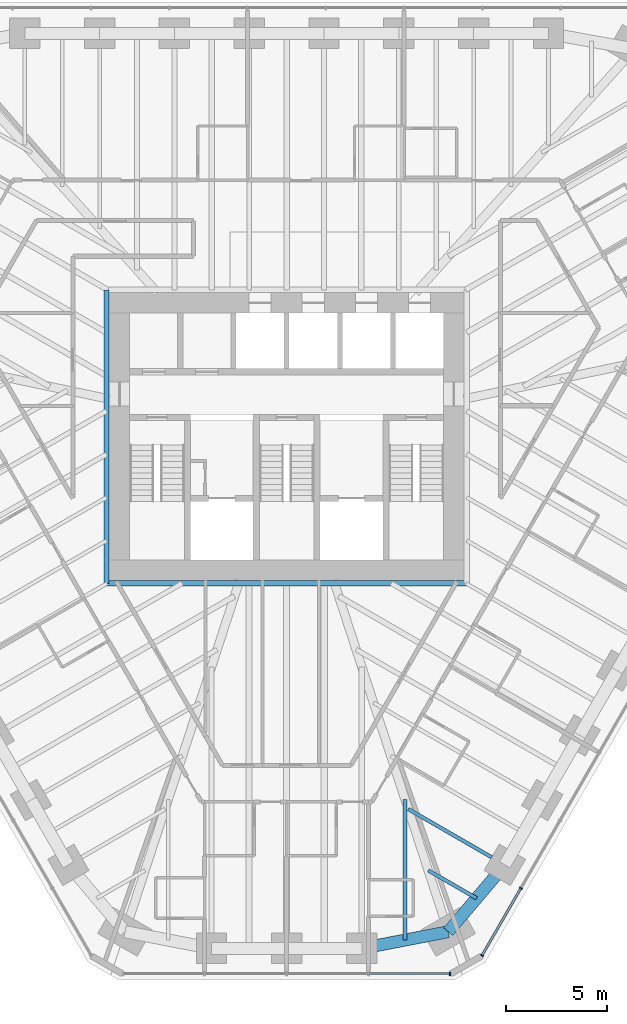
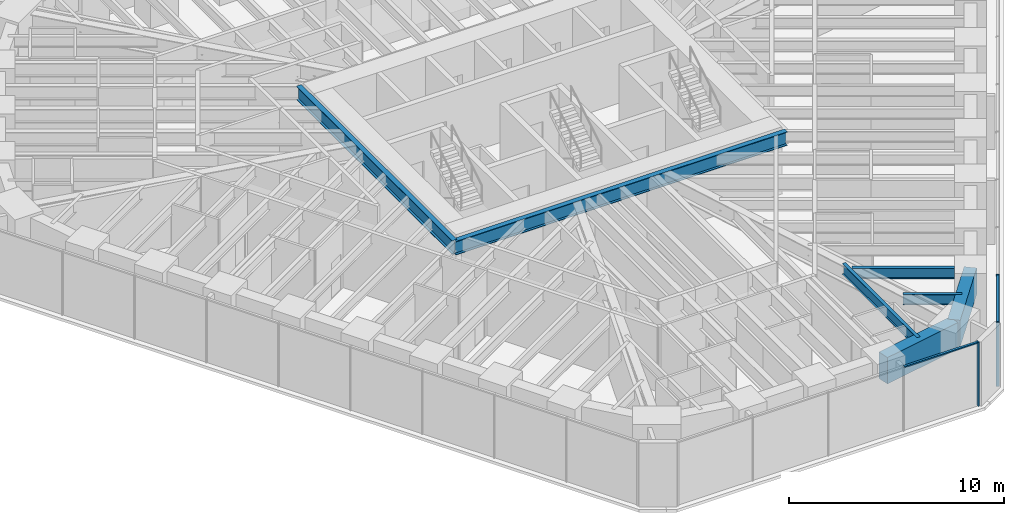
# One storey, part 4 of 17: 7 beams, 5 members, 2 elements without a shape of their own.
"""IFC4 building model written with IfcOpenShell, lengths in metres."""

from ifc_helpers import new_model, si_unit, direction, frame, origin, origin_2d, place, context, subcontext, project, spatial, rectangle, i_section, extrude, material, material_profile, profile_set, type_object, element, aggregate, save


model = new_model("IFC4")

# Units and contexts
model_context = context("Model", 3, precision=1e-05, world=origin(), true_north=direction((0.0, 1.0)))
body_context = subcontext(model_context, "Body", "Model", "MODEL_VIEW")
ifc_project = project(units=[si_unit("LENGTHUNIT", "METRE"), si_unit("AREAUNIT", "SQUARE_METRE"), si_unit("VOLUMEUNIT", "CUBIC_METRE"), si_unit("PLANEANGLEUNIT", "RADIAN"), si_unit("MASSUNIT", "GRAM", prefix="KILO")], contexts=[model_context])

# Site, building, storey
site_placement = place(None, origin())
site = spatial("IfcSite", under=ifc_project, at=site_placement, CompositionType="ELEMENT")
building_placement = place(site_placement, origin())
building = spatial("IfcBuilding", under=site, at=building_placement, Name="Sandreach Pilgrim Tower", CompositionType="ELEMENT")
storey_placement = place(building_placement, frame((0.0, 0.0, 194.60009765625)))
storey = spatial("IfcBuildingStorey", under=building, at=storey_placement, Name="L48", CompositionType="ELEMENT", Elevation=194.60009765625)

# Curtain wall, members
ifc_material_1 = material(Name="Aluminium framed curtain wall", Category="aluminium")
curtain_wall_type = type_object("IfcCurtainWallType", Name="Upper hotel tower curtain wall", PredefinedType="NOTDEFINED", material=ifc_material_1)
curtain_wall_1_placement = place(storey_placement, origin())
curtain_wall_1 = element("IfcCurtainWall", 1, at=curtain_wall_1_placement, inside=storey, type_object=curtain_wall_type, Name="CW-3 L48 SE", PredefinedType="NOTDEFINED")
ifc_material_2 = material(Name="Aluminium extrusion", Category="aluminium")
ifc_material_profile_1 = material_profile(ifc_material_2, rectangle(XDim=0.06494140625, YDim=0.159912109375, at=origin_2d()), Name="CW-3M 65X160")
ifc_profile_set_1 = profile_set([ifc_material_profile_1], Name="Aluminium extrusion")
member_type_1 = type_object("IfcMemberType", Name="CW-3 mullion", PredefinedType="MULLION", material=ifc_profile_set_1)
member_1_placement = place(storey_placement, frame((11.5625, -22.29345703125, 0.0), z_axis=(0.0, 0.0, 1.0), x_axis=(-0.5, -0.866025403784, 0.0)))
member_1 = element("IfcMember", 2, at=member_1_placement, type_object=member_type_1, Name="CW-3 mullion 9", PredefinedType="MULLION", context=body_context, shape_type="SweptSolid", body=[
    extrude(rectangle(XDim=0.06494140625, YDim=0.159912109375, at=origin_2d()), origin(), (0.0, 0.0, 1.0), 3.639892578125),
])
member_2_placement = place(storey_placement, frame((9.646484375, -25.612060546875, 0.0), z_axis=(0.0, 0.0, 1.0), x_axis=(-0.5, -0.866025403784, 0.0)))
member_2 = element("IfcMember", 3, at=member_2_placement, type_object=member_type_1, Name="CW-3 mullion 10", PredefinedType="MULLION", context=body_context, shape_type="SweptSolid", body=[
    extrude(rectangle(XDim=0.06494140625, YDim=0.159912109375, at=origin_2d()), origin(), (0.0, 0.0, 1.0), 3.639892578125),
])

# Curtain wall, member
curtain_wall_2_placement = place(storey_placement, origin())
curtain_wall_2 = element("IfcCurtainWall", 4, at=curtain_wall_2_placement, inside=storey, type_object=curtain_wall_type, Name="CW-3 L48 S", PredefinedType="NOTDEFINED")
member_3_placement = place(storey_placement, frame((8.06494140625, -26.525146484375, 0.0), z_axis=(0.0, 0.0, 1.0), x_axis=(-1.0, 0.0, 0.0)))
member_3 = element("IfcMember", 5, at=member_3_placement, type_object=member_type_1, Name="CW-3 mullion 1", PredefinedType="MULLION", context=body_context, shape_type="SweptSolid", body=[
    extrude(rectangle(XDim=0.06494140625, YDim=0.159912109375, at=origin_2d()), origin(), (0.0, 0.0, 1.0), 3.639892578125),
])

# Member
ifc_material_3 = material(Name="Aluminium extrusion", Category="aluminium")
ifc_material_profile_2 = material_profile(ifc_material_3, rectangle(XDim=0.1201171875, YDim=0.070068359375, at=origin_2d()), Name="CW-3T 120X70")
ifc_profile_set_2 = profile_set([ifc_material_profile_2], Name="Aluminium extrusion")
member_type_2 = type_object("IfcMemberType", Name="CW-3 transom", PredefinedType="USERDEFINED", material=ifc_profile_set_2)
member_4_placement = place(storey_placement, frame((11.546142578125, -22.321533203125, 3.60498046875), z_axis=(-0.499973055223, -0.8660409598, 0.0), x_axis=(0.8660409598, -0.499973055223, 0.0)))
member_4 = element("IfcMember", 6, at=member_4_placement, type_object=member_type_2, Name="CW-3 head transom 9", ObjectType="TRANSOM", PredefinedType="USERDEFINED", context=body_context, shape_type="SweptSolid", body=[
    extrude(rectangle(XDim=0.1201171875, YDim=0.070068359375, at=origin_2d()), origin(), (0.0, 0.0, 1.0), 3.766845703125),
])

aggregate(curtain_wall_1, [member_1, member_2, member_4])

member_5_placement = place(storey_placement, frame((8.032470703125, -26.525146484375, 3.60498046875), z_axis=(-1.0, 0.0, 0.0), x_axis=(0.0, -1.0, 0.0)))
member_5 = element("IfcMember", 7, at=member_5_placement, type_object=member_type_2, Name="CW-3 head transom 1", ObjectType="TRANSOM", PredefinedType="USERDEFINED", context=body_context, shape_type="SweptSolid", body=[
    extrude(rectangle(XDim=0.1201171875, YDim=0.070068359375, at=origin_2d()), origin(), (0.0, 0.0, 1.0), 3.951171875),
])

aggregate(curtain_wall_2, [member_3, member_5])

# Beams
ifc_material_4 = material(Name="Steel ASTM A992 Grade 50", Category="steel")
ifc_material_profile_3 = material_profile(ifc_material_4, i_section(OverallWidth=0.2666015625, OverallDepth=0.77978515625, WebThickness=0.0166015625, FlangeThickness=0.030029296875, at=origin_2d()), Name="W30X148")
ifc_profile_set_3 = profile_set([ifc_material_profile_3], Name="Steel ASTM A992 Grade 50")
beam_type_1 = type_object("IfcBeamType", Name="Core edge beam W30X148", PredefinedType="BEAM", material=ifc_profile_set_3)
beam_1_placement = place(storey_placement, frame((8.893310546875, -7.243408203125, 3.25), z_axis=(-1.0, 0.0, 0.0), x_axis=(0.0, -1.0, 0.0)))
element("IfcBeam", 8, at=beam_1_placement, inside=storey, type_object=beam_type_1, Name="BM L48 CES", PredefinedType="BEAM", context=body_context, shape_type="SweptSolid", body=[
    extrude(i_section(OverallWidth=0.2666015625, OverallDepth=0.77978515625, WebThickness=0.0166015625, FlangeThickness=0.030029296875, at=origin_2d()), origin(), (0.0, 0.0, 1.0), 17.78662109375),
])
beam_2_placement = place(storey_placement, frame((-8.893310546875, -7.243408203125, 3.25), z_axis=(0.0, 1.0, 0.0), x_axis=(-1.0, 0.0, 0.0)))
element("IfcBeam", 9, at=beam_2_placement, inside=storey, type_object=beam_type_1, Name="BM L48 CEW", PredefinedType="BEAM", context=body_context, shape_type="SweptSolid", body=[
    extrude(i_section(OverallWidth=0.2666015625, OverallDepth=0.77978515625, WebThickness=0.0166015625, FlangeThickness=0.030029296875, at=origin_2d()), origin(), (0.0, 0.0, 1.0), 14.48681640625),
])
ifc_material_5 = material(Name="Steel ASTM A992 Grade 50", Category="steel")
ifc_material_profile_4 = material_profile(ifc_material_5, i_section(OverallWidth=0.1787109375, OverallDepth=0.60205078125, WebThickness=0.010986328125, FlangeThickness=0.014892578125, at=origin_2d()), Name="W24X62")
ifc_profile_set_4 = profile_set([ifc_material_profile_4], Name="Steel ASTM A992 Grade 50")
beam_type_2 = type_object("IfcBeamType", Name="Floor beam W24X62", PredefinedType="BEAM", material=ifc_profile_set_4)
beam_3_placement = place(storey_placement, frame((10.12255859375, -20.767333984375, 3.3388671875), z_axis=(-0.86603347311, 0.499986023258, 0.0), x_axis=(-0.499986023258, -0.86603347311, 0.0)))
element("IfcBeam", 10, at=beam_3_placement, inside=storey, type_object=beam_type_2, Name="BM L48 F21", PredefinedType="BEAM", context=body_context, shape_type="SweptSolid", body=[
    extrude(i_section(OverallWidth=0.1787109375, OverallDepth=0.60205078125, WebThickness=0.010986328125, FlangeThickness=0.014892578125, at=origin_2d()), origin(), (0.0, 0.0, 1.0), 4.757568359375),
])
beam_4_placement = place(storey_placement, frame((9.375244140625, -22.7919921875, 3.3388671875), z_axis=(-0.866046803606, 0.49996293259, 0.0), x_axis=(-0.49996293259, -0.866046803606, 0.0)))
element("IfcBeam", 11, at=beam_4_placement, inside=storey, type_object=beam_type_2, Name="BM L48 FM21", PredefinedType="BEAM", context=body_context, shape_type="SweptSolid", body=[
    extrude(i_section(OverallWidth=0.1787109375, OverallDepth=0.60205078125, WebThickness=0.010986328125, FlangeThickness=0.014892578125, at=origin_2d()), origin(), (0.0, 0.0, 1.0), 2.753662109375),
])
beam_5_placement = place(storey_placement, frame((5.844482421875, -24.853515625, 3.3388671875), z_axis=(0.0, 1.0, 0.0), x_axis=(-1.0, 0.0, 0.0)))
element("IfcBeam", 12, at=beam_5_placement, inside=storey, type_object=beam_type_2, Name="BM L48 FM22", PredefinedType="BEAM", context=body_context, shape_type="SweptSolid", body=[
    extrude(i_section(OverallWidth=0.1787109375, OverallDepth=0.60205078125, WebThickness=0.010986328125, FlangeThickness=0.014892578125, at=origin_2d()), origin(), (0.0, 0.0, 1.0), 6.94921875),
])
ifc_material_6 = material(Name="Concrete 10000 psi", Category="concrete")
ifc_material_profile_5 = material_profile(ifc_material_6, rectangle(XDim=0.60009765625, YDim=1.5, at=origin_2d()), Name="RC600X1500")
ifc_profile_set_5 = profile_set([ifc_material_profile_5], Name="Concrete 10000 psi")
beam_type_3 = type_object("IfcBeamType", Name="Spandrel beam RC600X1500", PredefinedType="SPANDREL", material=ifc_profile_set_5)
beam_6_placement = place(storey_placement, frame((10.772216796875, -21.142333984375, 2.889892578125), z_axis=(-0.646180160755, -0.76318490541, 0.0), x_axis=(0.76318490541, -0.646180160755, 0.0)))
element("IfcBeam", 13, at=beam_6_placement, inside=storey, type_object=beam_type_3, Name="BM L48 SP21", PredefinedType="SPANDREL", context=body_context, shape_type="SweptSolid", body=[
    extrude(rectangle(XDim=0.60009765625, YDim=1.5, at=origin_2d()), origin(), (0.0, 0.0, 1.0), 4.323486328125),
])
beam_7_placement = place(storey_placement, frame((7.978515625, -24.44189453125, 2.889892578125), z_axis=(-0.981901333807, -0.18939316426, 0.0), x_axis=(0.18939316426, -0.981901333807, 0.0)))
element("IfcBeam", 14, at=beam_7_placement, inside=storey, type_object=beam_type_3, Name="BM L48 SP22", PredefinedType="SPANDREL", context=body_context, shape_type="SweptSolid", body=[
    extrude(rectangle(XDim=0.60009765625, YDim=1.5, at=origin_2d()), origin(), (0.0, 0.0, 1.0), 4.3466796875),
])

save(model, "model.ifc")
